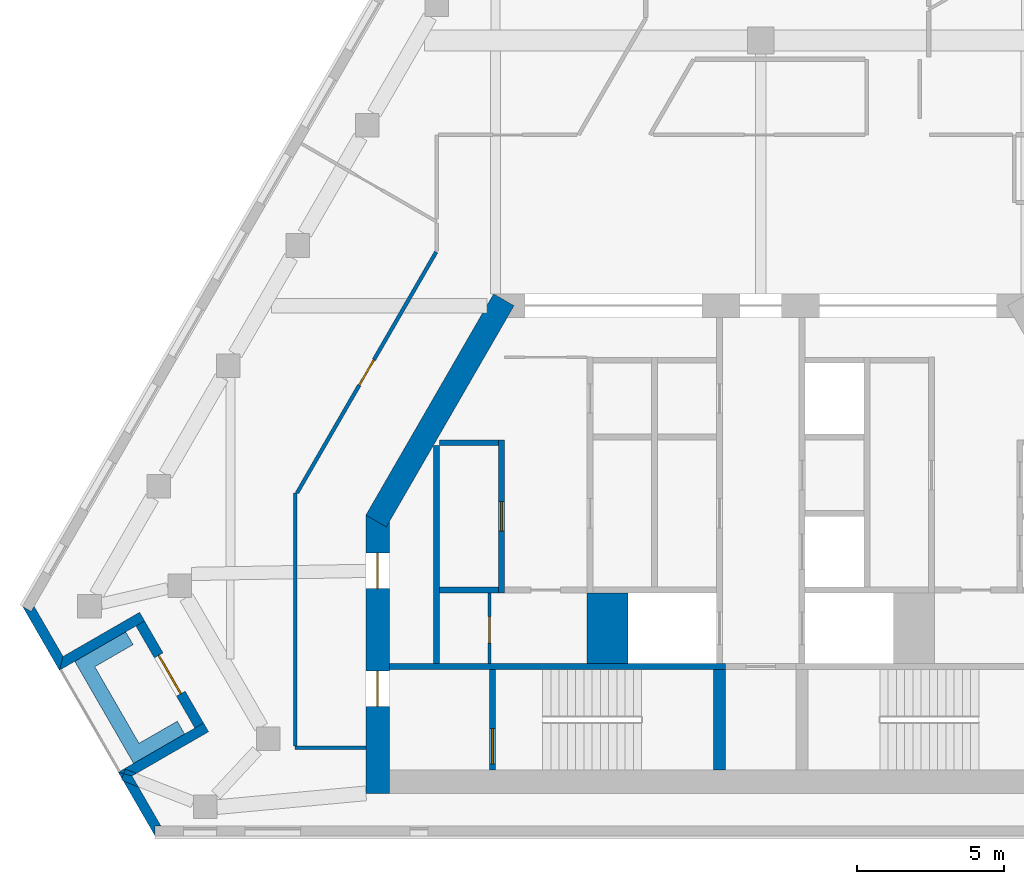
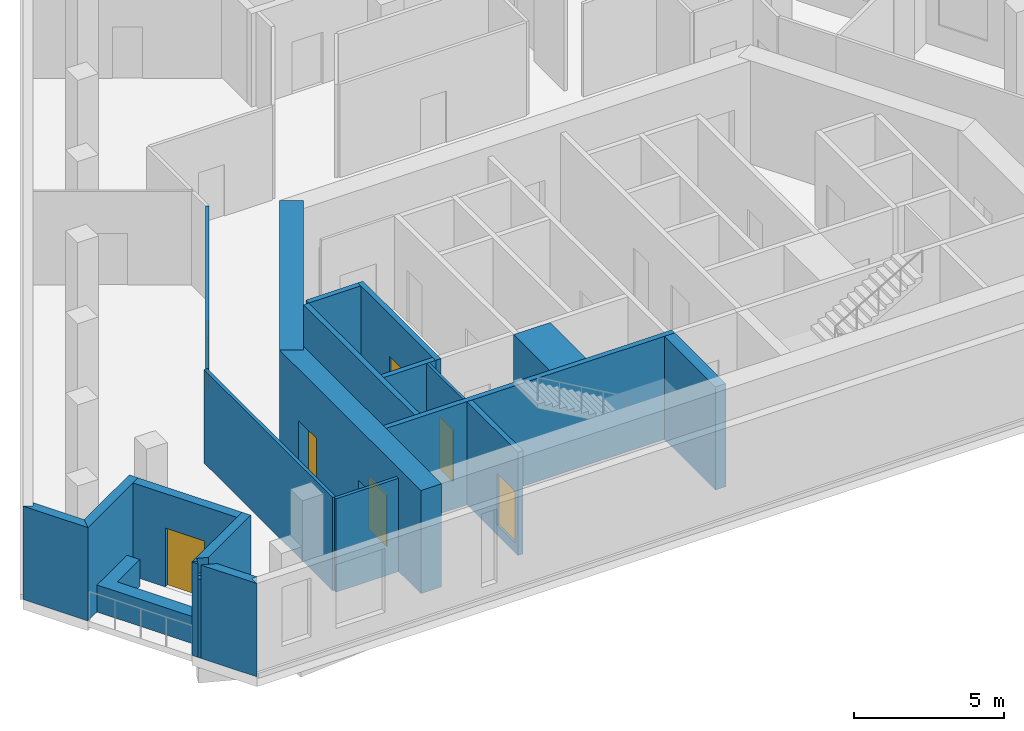
# One storey, part 2 of 8: 23 walls, 7 doors, 7 openings.
"""IFC4 building model written with IfcOpenShell, lengths in metres."""

from ifc_helpers import new_model, si_unit, direction, frame, frame_2d, origin, place, context, subcontext, project, spatial, polyline, rectangle, outline, extrude, material, layer, layer_set, type_object, element, fill, save


model = new_model("IFC4")

# Units and contexts
model_context = context("Model", 3, precision=1e-05, world=origin(), true_north=direction((0.0, 1.0)))
body_context = subcontext(model_context, "Body", "Model", "MODEL_VIEW")
ifc_project = project(units=[si_unit("LENGTHUNIT", "METRE"), si_unit("AREAUNIT", "SQUARE_METRE"), si_unit("VOLUMEUNIT", "CUBIC_METRE"), si_unit("PLANEANGLEUNIT", "RADIAN"), si_unit("MASSUNIT", "GRAM", prefix="KILO")], contexts=[model_context])

# Site, building, storey
site_placement = place(None, origin())
site = spatial("IfcSite", under=ifc_project, at=site_placement, CompositionType="ELEMENT")
building_placement = place(site_placement, origin())
building = spatial("IfcBuilding", under=site, at=building_placement, Name="Fogline Exchange Tower", CompositionType="ELEMENT")
storey_placement = place(building_placement, frame((0.0, 0.0, 291.89990234375)))
storey = spatial("IfcBuildingStorey", under=building, at=storey_placement, Name="L66", CompositionType="ELEMENT", Elevation=291.89990234375)

# Wall, opening, door
ifc_material_1 = material(Name="Blockwork partition", Category="masonry")
ifc_layer_1 = layer(ifc_material_1, 0.10009765625)
ifc_layer_set_1 = layer_set([ifc_layer_1], Name="CW10")
wall_type_1 = type_object("IfcWallType", Name="CW10", PredefinedType="PARTITIONING", material=ifc_layer_set_1)
wall_1_placement = place(storey_placement, frame((-9.199951171875, 5.85009765625, 0.0), z_axis=(0.0, 0.0, 1.0), x_axis=(0.0, 1.0, 0.0)))
wall_1 = element("IfcWall", 1, at=wall_1_placement, inside=storey, type_object=wall_type_1, Name="WC partition", PredefinedType="PARTITIONING", context=body_context, shape_type="SweptSolid", body=[
    extrude(rectangle(XDim=2.39990234375, YDim=0.10009765625, at=frame_2d((1.199951171875, 0.0))), origin(), (0.0, 0.0, 1.0), 3.800048828125),
])
opening_1_placement = place(wall_1_placement, frame((0.699951171875, 0.0, 0.0)))
opening_1 = element("IfcOpeningElement", 2, at=opening_1_placement, cuts=wall_1, Name="Opening T21-C011", PredefinedType="OPENING", context=body_context, shape_type="SweptSolid", body=[
    extrude(rectangle(XDim=0.89990234375, YDim=2.10009765625, at=frame_2d((0.449951171875, 1.050048828125))), frame((0.0, 0.06005859375, 0.0), z_axis=(0.0, -1.0, 0.0), x_axis=(1.0, 0.0, 0.0)), (0.0, 0.0, 1.0), 0.1201171875),
])
ifc_material_2 = material(Name="Steel and timber fire door", Category="steel")
door_type_1 = type_object("IfcDoorType", Name="D-CS1", OperationType="SINGLE_SWING_RIGHT", PredefinedType="DOOR", material=ifc_material_2)
door_1_placement = place(opening_1_placement, origin())
door_1 = element("IfcDoor", 3, at=door_1_placement, inside=storey, type_object=door_type_1, Name="Door to Cleaner's Store", OperationType="SINGLE_SWING_LEFT", OverallHeight=2.10009765625, OverallWidth=0.89990234375, PredefinedType="DOOR", context=body_context, shape_type="SweptSolid", body=[
    extrude(rectangle(XDim=0.89990234375, YDim=2.10009765625, at=frame_2d((0.449951171875, 1.050048828125))), frame((0.0, 0.02490234375, 0.0), z_axis=(0.0, -1.0, 0.0), x_axis=(1.0, 0.0, 0.0)), (0.0, 0.0, 1.0), 0.050048828125),
])
fill(opening_1, door_1)

# Walls
ifc_material_3 = material(Name="Concrete C60", Category="concrete")
ifc_layer_2 = layer(ifc_material_3, 1.39990234375)
ifc_layer_set_2 = layer_set([ifc_layer_2], Name="CW140")
wall_type_2 = type_object("IfcWallType", Name="CW140", PredefinedType="SOLIDWALL", material=ifc_layer_set_2)
wall_2_placement = place(storey_placement, frame((-5.199951171875, 5.85009765625, -0.39990234375), z_axis=(0.0, 0.0, 1.0), x_axis=(0.0, 1.0, 0.0)))
element("IfcWall", 4, at=wall_2_placement, inside=storey, type_object=wall_type_2, Name="Lift shaft block wall", PredefinedType="SOLIDWALL", context=body_context, shape_type="SweptSolid", body=[
    extrude(rectangle(XDim=2.39990234375, YDim=1.39990234375, at=frame_2d((1.199951171875, 0.0))), origin(), (0.0, 0.0, 1.0), 4.199951171875),
])
ifc_material_4 = material(Name="Concrete C40", Category="concrete")
ifc_layer_3 = layer(ifc_material_4, 0.199951171875)
ifc_layer_set_3 = layer_set([ifc_layer_3], Name="CW20")
wall_type_3 = type_object("IfcWallType", Name="CW20", PredefinedType="SOLIDWALL", material=ifc_layer_set_3)
wall_3_placement = place(storey_placement, frame((-11.0, 5.85009765625, 0.0), z_axis=(0.0, 0.0, 1.0), x_axis=(0.0, 1.0, 0.0)))
element("IfcWall", 5, at=wall_3_placement, inside=storey, type_object=wall_type_3, Name="Service room wall", PredefinedType="SOLIDWALL", context=body_context, shape_type="SweptSolid", body=[
    extrude(rectangle(XDim=7.39990234375, YDim=0.199951171875, at=frame_2d((3.699951171875, 0.0))), origin(), (0.0, 0.0, 1.0), 3.800048828125),
])
ifc_layer_4 = layer(ifc_material_4, 0.199951171875)
ifc_layer_set_4 = layer_set([ifc_layer_4], Name="CW20R")
wall_type_4 = type_object("IfcWallType", Name="CW20R", PredefinedType="SOLIDWALL", material=ifc_layer_set_4)
wall_4_placement = place(storey_placement, frame((-12.60009765625, 5.75, -0.39990234375), z_axis=(0.0, 0.0, 1.0), x_axis=(1.0, 0.0, 0.0)))
element("IfcWall", 6, at=wall_4_placement, inside=storey, type_object=wall_type_4, Name="Stair enclosure wall", PredefinedType="SOLIDWALL", context=body_context, shape_type="SweptSolid", body=[
    extrude(rectangle(XDim=11.400146484375, YDim=0.199951171875, at=frame_2d((5.7001953125, 0.0))), origin(), (0.0, 0.0, 1.0), 4.199951171875),
])

# Wall, opening, door
wall_5_placement = place(storey_placement, frame((-9.10009765625, 2.25, -0.39990234375), z_axis=(0.0, 0.0, 1.0), x_axis=(0.0, 1.0, 0.0)))
wall_5 = element("IfcWall", 7, at=wall_5_placement, inside=storey, type_object=wall_type_4, Name="Stair enclosure wall", PredefinedType="SOLIDWALL", context=body_context, shape_type="SweptSolid", body=[
    extrude(rectangle(XDim=3.39990234375, YDim=0.199951171875, at=frame_2d((1.699951171875, 0.0))), origin(), (0.0, 0.0, 1.0), 4.199951171875),
])
opening_2_placement = place(wall_5_placement, frame((0.199951171875, 0.0, 0.39990234375)))
opening_2 = element("IfcOpeningElement", 8, at=opening_2_placement, cuts=wall_5, Name="Opening T21-C013", PredefinedType="OPENING", context=body_context, shape_type="SweptSolid", body=[
    extrude(rectangle(XDim=1.199951171875, YDim=2.10009765625, at=frame_2d((0.60009765625, 1.050048828125))), frame((0.0, 0.10986328125, 0.0), z_axis=(0.0, -1.0, 0.0), x_axis=(1.0, 0.0, 0.0)), (0.0, 0.0, 1.0), 0.219970703125),
])
door_type_2 = type_object("IfcDoorType", Name="D-ST1", OperationType="SINGLE_SWING_LEFT", PredefinedType="DOOR", material=ifc_material_2)
door_2_placement = place(opening_2_placement, frame((1.199951171875, 0.0, 0.0), z_axis=(0.0, 0.0, 1.0), x_axis=(-1.0, 0.0, 0.0)))
door_2 = element("IfcDoor", 9, at=door_2_placement, inside=storey, type_object=door_type_2, Name="Stair door ST1", OperationType="SINGLE_SWING_RIGHT", OverallHeight=2.10009765625, OverallWidth=1.199951171875, PredefinedType="DOOR", context=body_context, shape_type="SweptSolid", body=[
    extrude(rectangle(XDim=1.199951171875, YDim=2.10009765625, at=frame_2d((0.60009765625, 1.050048828125))), frame((0.0, 0.02490234375, 0.0), z_axis=(0.0, -1.0, 0.0), x_axis=(1.0, 0.0, 0.0)), (0.0, 0.0, 1.0), 0.050048828125),
])
fill(opening_2, door_2)

ifc_layer_5 = layer(ifc_material_4, 0.199951171875)
ifc_layer_set_5 = layer_set([ifc_layer_5], Name="CW20S")
wall_type_5 = type_object("IfcWallType", Name="CW20S", PredefinedType="SOLIDWALL", material=ifc_layer_set_5)
wall_6_placement = place(storey_placement, frame((-8.800048828125, 8.25, -0.39990234375), z_axis=(0.0, 0.0, 1.0), x_axis=(0.0, 1.0, 0.0)))
wall_6 = element("IfcWall", 10, at=wall_6_placement, inside=storey, type_object=wall_type_5, Name="Lift shaft wall", PredefinedType="SOLIDWALL", context=body_context, shape_type="SweptSolid", body=[
    extrude(rectangle(XDim=5.199951171875, YDim=0.199951171875, at=frame_2d((2.60009765625, 0.0))), origin(), (0.0, 0.0, 1.0), 4.199951171875),
])
opening_3_placement = place(wall_6_placement, frame((2.10009765625, 0.0, 0.39990234375)))
opening_3 = element("IfcOpeningElement", 11, at=opening_3_placement, cuts=wall_6, Name="Opening T21-C001", PredefinedType="OPENING", context=body_context, shape_type="SweptSolid", body=[
    extrude(rectangle(XDim=1.0, YDim=2.10009765625, at=frame_2d((0.5, 1.050048828125))), frame((0.0, 0.10986328125, 0.0), z_axis=(0.0, -1.0, 0.0), x_axis=(1.0, 0.0, 0.0)), (0.0, 0.0, 1.0), 0.219970703125),
])
door_type_3 = type_object("IfcDoorType", Name="D-RM1", OperationType="SINGLE_SWING_LEFT", PredefinedType="DOOR", material=ifc_material_2)
door_3_placement = place(opening_3_placement, origin())
door_3 = element("IfcDoor", 12, at=door_3_placement, inside=storey, type_object=door_type_3, Name="Door to Archive Room", OperationType="SINGLE_SWING_RIGHT", OverallHeight=2.10009765625, OverallWidth=1.0, PredefinedType="DOOR", context=body_context, shape_type="SweptSolid", body=[
    extrude(rectangle(XDim=1.0, YDim=2.10009765625, at=frame_2d((0.5, 1.050048828125))), frame((0.0, 0.02490234375, 0.0), z_axis=(0.0, -1.0, 0.0), x_axis=(1.0, 0.0, 0.0)), (0.0, 0.0, 1.0), 0.050048828125),
])
fill(opening_3, door_3)

# Walls
for number, where, z_axis, x_axis, name in (
    (13, (-10.89990234375, 8.35009765625, -0.39990234375), (0.0, 0.0, 1.0), (1.0, 0.0, 0.0), "Lift shaft wall"),
    (14, (-10.89990234375, 13.35009765625, -0.39990234375), (0.0, 0.0, 1.0), (1.0, 0.0, 0.0), "Lift shaft wall"),
):
    element("IfcWall", number, at=place(storey_placement, frame(where, z_axis=z_axis, x_axis=x_axis)), inside=storey, type_object=wall_type_5, Name=name, PredefinedType="SOLIDWALL", context=body_context, shape_type="SweptSolid", body=[
        extrude(rectangle(XDim=2.0, YDim=0.199951171875, at=frame_2d((1.0, 0.0))), origin(), (0.0, 0.0, 1.0), 4.199951171875),
    ])
ifc_layer_6 = layer(ifc_material_4, 0.39990234375)
ifc_layer_set_6 = layer_set([ifc_layer_6], Name="CW40R")
wall_type_6 = type_object("IfcWallType", Name="CW40R", PredefinedType="SOLIDWALL", material=ifc_layer_set_6)
wall_7_placement = place(storey_placement, frame((-1.39990234375, 2.25, -0.39990234375), z_axis=(0.0, 0.0, 1.0), x_axis=(0.0, 1.0, 0.0)))
element("IfcWall", 15, at=wall_7_placement, inside=storey, type_object=wall_type_6, Name="Stair and lift shaft wall", PredefinedType="SOLIDWALL", context=body_context, shape_type="SweptSolid", body=[
    extrude(rectangle(XDim=3.39990234375, YDim=0.39990234375, at=frame_2d((1.699951171875, 0.0))), origin(), (0.0, 0.0, 1.0), 4.199951171875),
])
ifc_material_5 = material(Name="Brick masonry", Category="masonry")
ifc_layer_7 = layer(ifc_material_5, 0.340087890625)
ifc_layer_set_7 = layer_set([ifc_layer_7], Name="FW1")
wall_type_7 = type_object("IfcWallType", Name="FW1", PredefinedType="SOLIDWALL", material=ifc_layer_set_7)
wall_8_placement = place(storey_placement, origin())
element("IfcWall", 16, at=wall_8_placement, inside=storey, type_object=wall_type_7, Name="Brick wall L66 SW-c1", PredefinedType="SOLIDWALL", context=body_context, shape_type="SweptSolid", body=[
    extrude(outline(polyline([(-23.80224609375, 5.6279296875), (-25.05322265625, 7.794921875), (-25.052734375, 7.79541015625), (-24.758056640625, 7.625), (-24.65966796875, 7.79541015625), (-23.677001953125, 6.09375), (-23.8017578125, 5.6279296875), (-23.80224609375, 5.6279296875)])), origin(), (0.0, 0.0, 1.0), 3.800048828125),
])
wall_9_placement = place(storey_placement, origin())
element("IfcWall", 17, at=wall_9_placement, inside=storey, type_object=wall_type_7, Name="Brick wall L66 SW-s1", PredefinedType="SOLIDWALL", context=body_context, shape_type="SweptSolid", body=[
    extrude(outline(polyline([(-21.079345703125, 7.594482421875), (-20.908935546875, 7.298828125), (-21.203857421875, 7.128662109375), (-23.802734375, 5.628173828125), (-23.802978515625, 5.62841796875), (-23.67822265625, 6.093994140625), (-21.079345703125, 7.594482421875)])), origin(), (0.0, 0.0, 1.0), 3.800048828125),
])

# Wall, opening, door
wall_10_placement = place(storey_placement, frame((-21.056884765625, 7.214111328125, 0.0), z_axis=(0.0, 0.0, 1.0), x_axis=(0.49999894854, -0.866026010844, 0.0)))
wall_10 = element("IfcWall", 18, at=wall_10_placement, inside=storey, type_object=wall_type_7, Name="Brick wall L66 SW-bk", PredefinedType="SOLIDWALL", context=body_context, shape_type="SweptSolid", body=[
    extrude(rectangle(XDim=4.0, YDim=0.340087890625, at=frame_2d((2.0, 0.0))), origin(), (0.0, 0.0, 1.0), 3.800048828125),
])
opening_4_placement = place(wall_10_placement, frame((1.25, 0.0, 0.0)))
opening_4 = element("IfcOpeningElement", 19, at=opening_4_placement, cuts=wall_10, Name="Opening T21-E021", PredefinedType="OPENING", context=body_context, shape_type="SweptSolid", body=[
    extrude(rectangle(XDim=1.5, YDim=2.39990234375, at=frame_2d((0.75, 1.199951171875))), frame((0.0, 0.18017578125, 0.0), z_axis=(0.0, -1.0, 0.0), x_axis=(1.0, 0.0, 0.0)), (0.0, 0.0, 1.0), 0.360107421875),
])
ifc_material_6 = material(Name="Aluminium and glass", Category="aluminium")
door_type_4 = type_object("IfcDoorType", Name="ED4", OperationType="SINGLE_SWING_LEFT", PredefinedType="DOOR", material=ifc_material_6)
door_4_placement = place(opening_4_placement, frame((1.5, 0.0, 0.0), z_axis=(0.0, 0.0, 1.0), x_axis=(-1.0, 0.0, 0.0)))
door_4 = element("IfcDoor", 20, at=door_4_placement, inside=storey, type_object=door_type_4, Name="Balcony door L66 SW", OperationType="DOUBLE_DOOR_SINGLE_SWING", OverallHeight=2.39990234375, OverallWidth=1.5, PredefinedType="DOOR", context=body_context, shape_type="SweptSolid", body=[
    extrude(rectangle(XDim=1.5, YDim=2.39990234375, at=frame_2d((0.75, 1.199951171875))), frame((0.0, 0.02490234375, 0.0), z_axis=(0.0, -1.0, 0.0), x_axis=(1.0, 0.0, 0.0)), (0.0, 0.0, 1.0), 0.050048828125),
])
fill(opening_4, door_4)

# Walls
wall_11_placement = place(storey_placement, origin())
element("IfcWall", 21, at=wall_11_placement, inside=storey, type_object=wall_type_7, Name="Brick wall L66 SW-s2", PredefinedType="SOLIDWALL", context=body_context, shape_type="SweptSolid", body=[
    extrude(outline(polyline([(-21.337646484375, 2.0400390625), (-21.622314453125, 2.1162109375), (-21.56201171875, 2.2705078125), (-21.18994140625, 2.125244140625), (-21.337646484375, 2.0400390625)])), origin(), (0.0, 0.0, 1.0), 3.2001953125),
])
wall_12_placement = place(storey_placement, origin())
element("IfcWall", 22, at=wall_12_placement, inside=storey, type_object=wall_type_7, Name="Brick wall L66 SW-s2", PredefinedType="SOLIDWALL", context=body_context, shape_type="SweptSolid", body=[
    extrude(outline(polyline([(-19.204345703125, 3.66552734375), (-18.909423828125, 3.8359375), (-18.73876953125, 3.540283203125), (-21.18994140625, 2.125244140625), (-21.56201171875, 2.2705078125), (-21.622314453125, 2.1162109375), (-21.803466796875, 2.164794921875), (-21.803466796875, 2.1650390625), (-19.204345703125, 3.66552734375)])), origin(), (0.0, 0.0, 1.0), 3.800048828125),
])
wall_13_placement = place(storey_placement, origin())
element("IfcWall", 23, at=wall_13_placement, inside=storey, type_object=wall_type_7, Name="Brick wall L66 SW-c2", PredefinedType="SOLIDWALL", context=body_context, shape_type="SweptSolid", body=[
    extrude(outline(polyline([(-21.683837890625, 1.958740234375), (-21.621826171875, 2.117431640625), (-21.33740234375, 2.041015625), (-21.122802734375, 1.66943359375), (-21.63134765625, 1.8681640625), (-21.683837890625, 1.958740234375)])), origin(), (0.0, 0.0, 1.0), 3.2001953125),
])
wall_14_placement = place(storey_placement, origin())
element("IfcWall", 24, at=wall_14_placement, inside=storey, type_object=wall_type_7, Name="Brick wall L66 SW-c2", PredefinedType="SOLIDWALL", context=body_context, shape_type="SweptSolid", body=[
    extrude(outline(polyline([(-20.551513671875, 0.33935546875), (-20.551513671875, -0.0009765625), (-20.55224609375, -0.001220703125), (-21.63134765625, 1.8681640625), (-21.122802734375, 1.66943359375), (-20.354736328125, 0.33935546875), (-20.551513671875, 0.33935546875)])), origin(), (0.0, 0.0, 1.0), 3.800048828125),
])
wall_15_placement = place(storey_placement, origin())
element("IfcWall", 25, at=wall_15_placement, inside=storey, type_object=wall_type_7, Name="Brick wall L66 SW-c2", PredefinedType="SOLIDWALL", context=body_context, shape_type="SweptSolid", body=[
    extrude(outline(polyline([(-21.80322265625, 2.165771484375), (-21.802978515625, 2.166015625), (-21.621826171875, 2.117431640625), (-21.683837890625, 1.958740234375), (-21.80322265625, 2.165771484375)])), origin(), (0.0, 0.0, 1.0), 3.800048828125),
])
ifc_material_7 = material(Name="Concrete C30", Category="concrete")
ifc_layer_8 = layer(ifc_material_7, 0.199951171875)
ifc_layer_set_8 = layer_set([ifc_layer_8], Name="PL1")
wall_type_8 = type_object("IfcWallType", Name="PL1", PredefinedType="USERDEFINED", material=ifc_layer_set_8)
wall_16_placement = place(storey_placement, origin())
element("IfcWall", 26, at=wall_16_placement, inside=storey, type_object=wall_type_8, Name="PLANTER balcony L66 SW", ObjectType="PLANTER", PredefinedType="USERDEFINED", context=body_context, shape_type="SweptSolid", body=[
    extrude(outline(polyline([(-19.800537109375, 3.898193359375), (-21.099609375, 3.148193359375), (-22.599609375, 5.74609375), (-21.300537109375, 6.49609375), (-21.550537109375, 6.92919921875), (-23.28271484375, 5.92919921875), (-21.28271484375, 2.465087890625), (-20.849609375, 2.715087890625), (-20.849609375, 2.715087890625), (-19.550537109375, 3.465087890625), (-19.800537109375, 3.898193359375)])), origin(), (0.0, 0.0, 1.0), 1.10009765625),
])
ifc_material_8 = material(Name="Plasterboard corridor partition with mineral wool, 2 layers each side")
ifc_layer_9 = layer(ifc_material_8, 0.125)
ifc_layer_set_9 = layer_set([ifc_layer_9], Name="PW2")
wall_type_9 = type_object("IfcWallType", Name="PW2", PredefinedType="PARTITIONING", material=ifc_layer_set_9)
wall_17_placement = place(storey_placement, frame((-13.39990234375, 3.0, 0.0), z_axis=(0.0, 0.0, 1.0), x_axis=(-1.0, 0.0, 0.0)))
element("IfcWall", 27, at=wall_17_placement, inside=storey, type_object=wall_type_9, Name="wall-L66-W013", PredefinedType="PARTITIONING", context=body_context, shape_type="SweptSolid", body=[
    extrude(rectangle(XDim=2.400146484375, YDim=0.125, at=frame_2d((1.2001953125, 0.0))), origin(), (0.0, 0.0, 1.0), 3.800048828125),
])
wall_18_placement = place(storey_placement, frame((-15.800048828125, 3.0625, 0.0), z_axis=(0.0, 0.0, 1.0), x_axis=(0.0, 1.0, 0.0)))
element("IfcWall", 28, at=wall_18_placement, inside=storey, type_object=wall_type_9, Name="wall-L66-W014", PredefinedType="PARTITIONING", context=body_context, shape_type="SweptSolid", body=[
    extrude(rectangle(XDim=8.5810546875, YDim=0.125, at=frame_2d((4.29052734375, 0.0))), origin(), (0.0, 0.0, 1.0), 3.800048828125),
])

# Wall, opening, door
wall_19_placement = place(storey_placement, frame((-15.737548828125, 11.643310546875, 0.0), z_axis=(0.0, 0.0, 1.0), x_axis=(0.500017851522, 0.866015096958, 0.0)))
wall_19 = element("IfcWall", 29, at=wall_19_placement, inside=storey, type_object=wall_type_9, Name="wall-L66-W015", PredefinedType="PARTITIONING", context=body_context, shape_type="SweptSolid", body=[
    extrude(rectangle(XDim=9.443603515625, YDim=0.125, at=frame_2d((4.7216796875, 0.0))), origin(), (0.0, 0.0, 1.0), 3.800048828125),
])
opening_5_placement = place(wall_19_placement, frame((4.221923828125, 0.0, 0.0)))
opening_5 = element("IfcOpeningElement", 30, at=opening_5_placement, cuts=wall_19, Name="Opening T21-D006", PredefinedType="OPENING", context=body_context, shape_type="SweptSolid", body=[
    extrude(rectangle(XDim=1.0, YDim=2.10009765625, at=frame_2d((0.5, 1.050048828125))), frame((0.0, 0.072509765625, 0.0), z_axis=(0.0, -1.0, 0.0), x_axis=(1.0, 0.0, 0.0)), (0.0, 0.0, 1.0), 0.14501953125),
])
ifc_material_9 = material(Name="Fire-rated timber door leaf with steel frame", Category="steel")
door_type_5 = type_object("IfcDoorType", Name="D3", OperationType="SINGLE_SWING_LEFT", PredefinedType="DOOR", material=ifc_material_9)
door_5_placement = place(opening_5_placement, origin())
door_5 = element("IfcDoor", 31, at=door_5_placement, inside=storey, type_object=door_type_5, Name="door-L66-D006", OperationType="SINGLE_SWING_LEFT", OverallHeight=2.10009765625, OverallWidth=1.0, PredefinedType="DOOR", context=body_context, shape_type="SweptSolid", body=[
    extrude(rectangle(XDim=1.0, YDim=2.10009765625, at=frame_2d((0.5, 1.050048828125))), frame((0.0, 0.02490234375, 0.0), z_axis=(0.0, -1.0, 0.0), x_axis=(1.0, 0.0, 0.0)), (0.0, 0.0, 1.0), 0.050048828125),
])
fill(opening_5, door_5)

# Wall
ifc_material_10 = material(Name="Concrete C50", Category="concrete")
ifc_layer_10 = layer(ifc_material_10, 0.800048828125)
ifc_layer_set_10 = layer_set([ifc_layer_10], Name="SW04")
wall_type_10 = type_object("IfcWallType", Name="SW04", PredefinedType="SHEAR", material=ifc_layer_set_10)
wall_20_placement = place(storey_placement, frame((-8.71875, 18.199951171875, 0.0), z_axis=(0.0, 0.0, 1.0), x_axis=(-0.500015780397, -0.866016292776, 0.0)))
element("IfcWall", 32, at=wall_20_placement, inside=storey, type_object=wall_type_10, Name="L66-W905", PredefinedType="SHEAR", context=body_context, shape_type="SweptSolid", body=[
    extrude(rectangle(XDim=8.669677734375, YDim=0.800048828125, at=frame_2d((4.3349609375, 0.0))), origin(), (0.0, 0.0, 1.0), 4.2001953125),
])

# Wall, openings, doors
wall_21_placement = place(storey_placement, frame((-13.0, 10.891845703125, 0.0), z_axis=(0.0, 0.0, 1.0), x_axis=(0.0, -1.0, 0.0)))
wall_21 = element("IfcWall", 33, at=wall_21_placement, inside=storey, type_object=wall_type_10, Name="L66-W906", PredefinedType="SHEAR", context=body_context, shape_type="SweptSolid", body=[
    extrude(rectangle(XDim=9.44189453125, YDim=0.800048828125, at=frame_2d((4.720947265625, 0.0))), origin(), (0.0, 0.0, 1.0), 4.2001953125),
])
opening_6_placement = place(wall_21_placement, frame((5.291748046875, 0.0, 0.0)))
opening_6 = element("IfcOpeningElement", 34, at=opening_6_placement, cuts=wall_21, Name="Opening T21-C012", PredefinedType="OPENING", context=body_context, shape_type="SweptSolid", body=[
    extrude(rectangle(XDim=1.199951171875, YDim=2.10009765625, at=frame_2d((0.60009765625, 1.050048828125))), frame((0.0, 0.41015625, 0.0), z_axis=(0.0, -1.0, 0.0), x_axis=(1.0, 0.0, 0.0)), (0.0, 0.0, 1.0), 0.820068359375),
])
opening_7_placement = place(wall_21_placement, frame((1.291748046875, 0.0, 0.0)))
opening_7 = element("IfcOpeningElement", 35, at=opening_7_placement, cuts=wall_21, Name="Opening T21-C014", PredefinedType="OPENING", context=body_context, shape_type="SweptSolid", body=[
    extrude(rectangle(XDim=1.199951171875, YDim=2.10009765625, at=frame_2d((0.60009765625, 1.050048828125))), frame((0.0, 0.41015625, 0.0), z_axis=(0.0, -1.0, 0.0), x_axis=(1.0, 0.0, 0.0)), (0.0, 0.0, 1.0), 0.820068359375),
])
door_type_6 = type_object("IfcDoorType", Name="D-FR1", OperationType="SINGLE_SWING_RIGHT", PredefinedType="DOOR", material=ifc_material_2)
door_6_placement = place(opening_6_placement, origin())
door_6 = element("IfcDoor", 36, at=door_6_placement, inside=storey, type_object=door_type_6, Name="Front room door ST1", OperationType="SINGLE_SWING_LEFT", OverallHeight=2.10009765625, OverallWidth=1.199951171875, PredefinedType="DOOR", context=body_context, shape_type="SweptSolid", body=[
    extrude(rectangle(XDim=1.199951171875, YDim=2.10009765625, at=frame_2d((0.60009765625, 1.050048828125))), frame((0.0, 0.02490234375, 0.0), z_axis=(0.0, -1.0, 0.0), x_axis=(1.0, 0.0, 0.0)), (0.0, 0.0, 1.0), 0.050048828125),
])
fill(opening_6, door_6)
door_type_7 = type_object("IfcDoorType", Name="D-SV1", OperationType="SINGLE_SWING_LEFT", PredefinedType="DOOR", material=ifc_material_2)
door_7_placement = place(opening_7_placement, origin())
door_7 = element("IfcDoor", 37, at=door_7_placement, inside=storey, type_object=door_type_7, Name="Service door W", OperationType="SINGLE_SWING_LEFT", OverallHeight=2.10009765625, OverallWidth=1.199951171875, PredefinedType="DOOR", context=body_context, shape_type="SweptSolid", body=[
    extrude(rectangle(XDim=1.199951171875, YDim=2.10009765625, at=frame_2d((0.60009765625, 1.050048828125))), frame((0.0, 0.02490234375, 0.0), z_axis=(0.0, -1.0, 0.0), x_axis=(1.0, 0.0, 0.0)), (0.0, 0.0, 1.0), 0.050048828125),
])
fill(opening_7, door_7)

save(model, "model.ifc")
